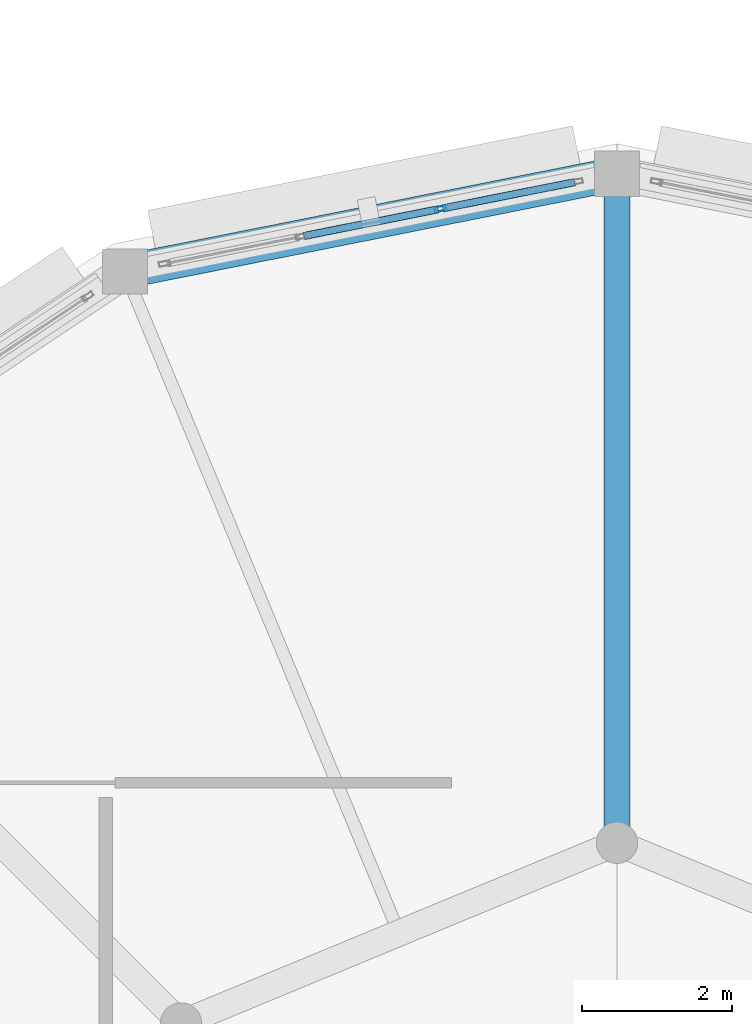
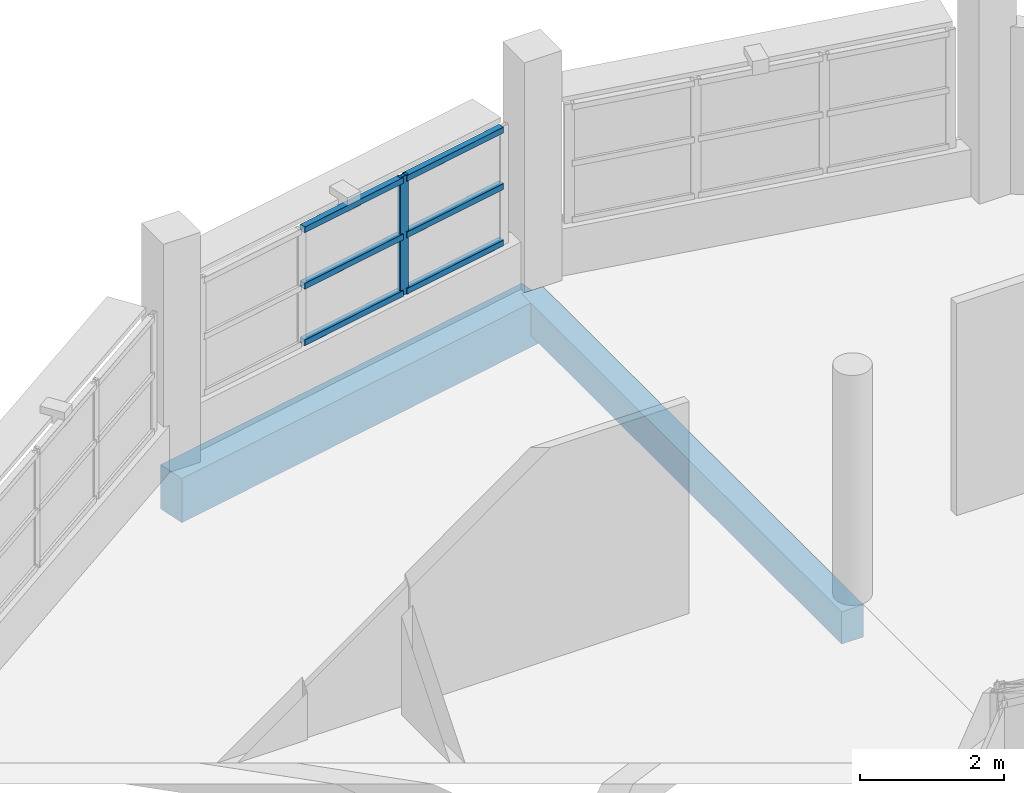
# One storey, part 78 of 121: 7 members, 2 beams, 1 element without a shape of its own.
"""IFC4 building model written with IfcOpenShell, lengths in metres."""

from ifc_helpers import new_model, si_unit, direction, frame, origin, origin_2d, place, context, subcontext, project, spatial, rectangle, hollow_rectangle, extrude, material, layer, layer_set, material_profile, profile_set, type_object, element, aggregate, save


model = new_model("IFC4")

# Units and contexts
model_context = context("Model", 3, precision=1e-05, world=origin(), true_north=direction((0.0, 1.0)))
body_context = subcontext(model_context, "Body", "Model", "MODEL_VIEW")
ifc_project = project(units=[si_unit("LENGTHUNIT", "METRE"), si_unit("AREAUNIT", "SQUARE_METRE"), si_unit("VOLUMEUNIT", "CUBIC_METRE"), si_unit("PLANEANGLEUNIT", "RADIAN"), si_unit("MASSUNIT", "GRAM", prefix="KILO")], contexts=[model_context])

# Site, building, storey
site_placement = place(None, origin())
site = spatial("IfcSite", under=ifc_project, at=site_placement, CompositionType="ELEMENT")
building_placement = place(site_placement, origin())
building = spatial("IfcBuilding", under=site, at=building_placement, Name="Vespera Passage Community Centre", CompositionType="ELEMENT")
storey_placement = place(building_placement, frame((0.0, 0.0, 8.699951171875)))
storey = spatial("IfcBuildingStorey", under=building, at=storey_placement, Name="L02", CompositionType="ELEMENT", Elevation=8.699951171875)

# Beams
ifc_material_1 = material(Name="Concrete f'c 35 MPa", Category="concrete")
ifc_material_profile_1 = material_profile(ifc_material_1, rectangle(XDim=0.35009765625, YDim=0.550048828125, at=origin_2d()), Name="RC350X550")
ifc_profile_set_1 = profile_set([ifc_material_profile_1], Name="Concrete f'c 35 MPa")
beam_type_1 = type_object("IfcBeamType", Name="BM-J-350X550", PredefinedType="JOIST", material=ifc_profile_set_1)
beam_1_placement = place(storey_placement, frame((141.0, 33.199951171875, -0.514892578125), z_axis=(0.0, 1.0, 0.0), x_axis=(-1.0, 0.0, 0.0)))
element("IfcBeam", 1, at=beam_1_placement, inside=storey, type_object=beam_type_1, Name="V3 L02 Radial Girder 3", PredefinedType="JOIST", context=body_context, shape_type="SweptSolid", body=[
    extrude(rectangle(XDim=0.35009765625, YDim=0.550048828125, at=origin_2d()), origin(), (0.0, 0.0, 1.0), 8.900146484375),
])
ifc_material_2 = material(Name="Concrete f'c 35 MPa", Category="concrete")
ifc_material_profile_2 = material_profile(ifc_material_2, rectangle(XDim=0.449951171875, YDim=0.75, at=origin_2d()), Name="RC450X750")
ifc_profile_set_2 = profile_set([ifc_material_profile_2], Name="Concrete f'c 35 MPa")
beam_type_2 = type_object("IfcBeamType", Name="BM-SP-450X750E", PredefinedType="SPANDREL", material=ifc_profile_set_2)
beam_2_placement = place(storey_placement, frame((141.0, 42.10009765625, -0.614990234375), z_axis=(-0.980782809509, -0.195102743632, 0.0), x_axis=(0.195102743632, -0.980782809509, 0.0)))
element("IfcBeam", 2, at=beam_2_placement, inside=storey, type_object=beam_type_2, Name="V3 L02 Spandrel 5", PredefinedType="SPANDREL", context=body_context, shape_type="SweptSolid", body=[
    extrude(rectangle(XDim=0.449951171875, YDim=0.75, at=origin_2d()), origin(), (0.0, 0.0, 1.0), 6.672119140625),
])

# Curtain wall, members
ifc_material_3 = material(Name="Anodized aluminium 6063-T6", Category="aluminium")
ifc_layer = layer(ifc_material_3, 0.159912109375)
ifc_layer_set = layer_set([ifc_layer], Name="Anodized aluminium 6063-T6")
curtain_wall_type = type_object("IfcCurtainWallType", Name="CW-108E", PredefinedType="NOTDEFINED", material=ifc_layer_set)
curtain_wall_placement = place(storey_placement, origin())
curtain_wall = element("IfcCurtainWall", 3, at=curtain_wall_placement, inside=storey, type_object=curtain_wall_type, Name="Dining Drum Ribbon Curtain Wall L02.5", PredefinedType="NOTDEFINED")
ifc_material_4 = material(Name="Anodized aluminium 6063-T6", Category="aluminium")
ifc_material_profile_3 = material_profile(ifc_material_4, hollow_rectangle(XDim=0.06494140625, YDim=0.14990234375, WallThickness=0.00390625, InnerFilletRadius=0.001953125, OuterFilletRadius=0.00390625, at=origin_2d()), Name="ALU150X65X4")
ifc_profile_set_3 = profile_set([ifc_material_profile_3], Name="Anodized aluminium 6063-T6")
member_type_1 = type_object("IfcMemberType", Name="MB-CWM-150E", PredefinedType="MULLION", material=ifc_profile_set_3)
member_1_placement = place(storey_placement, frame((138.6533203125, 41.63330078125, 0.800048828125), z_axis=(0.0, 0.0, 1.0), x_axis=(-0.195096778691, 0.980783996069, 0.0)))
member_1 = element("IfcMember", 4, at=member_1_placement, type_object=member_type_1, Name="CW-108E mullion 3", PredefinedType="MULLION", context=body_context, shape_type="SweptSolid", body=[
    extrude(hollow_rectangle(XDim=0.06494140625, YDim=0.14990234375, WallThickness=0.00390625, InnerFilletRadius=0.001953125, OuterFilletRadius=0.00390625, at=origin_2d()), origin(), (0.0, 0.0, 1.0), 2.014892578125),
])
ifc_material_5 = material(Name="Anodized aluminium 6063-T6", Category="aluminium")
ifc_material_profile_4 = material_profile(ifc_material_5, hollow_rectangle(XDim=0.10009765625, YDim=0.10009765625, WallThickness=0.00390625, InnerFilletRadius=0.001953125, OuterFilletRadius=0.00390625, at=origin_2d()), Name="ALU100X100X4")
ifc_profile_set_4 = profile_set([ifc_material_profile_4], Name="Anodized aluminium 6063-T6")
member_type_2 = type_object("IfcMemberType", Name="MB-CWT-100E", PredefinedType="USERDEFINED", material=ifc_profile_set_4)
member_2_placement = place(storey_placement, frame((136.834716796875, 41.271484375, 0.85009765625), z_axis=(0.980776065507, 0.195136642714, 0.0), x_axis=(-0.195136642714, 0.980776065507, 0.0)))
member_2 = element("IfcMember", 5, at=member_2_placement, type_object=member_type_2, Name="CW-108E transom 2.1", ObjectType="TRANSOM", PredefinedType="USERDEFINED", context=body_context, shape_type="SweptSolid", body=[
    extrude(hollow_rectangle(XDim=0.10009765625, YDim=0.10009765625, WallThickness=0.00390625, InnerFilletRadius=0.001953125, OuterFilletRadius=0.00390625, at=origin_2d()), origin(), (0.0, 0.0, 1.0), 1.821533203125),
])
member_3_placement = place(storey_placement, frame((136.834716796875, 41.271484375, 1.8076171875), z_axis=(0.980776065507, 0.195136642714, 0.0), x_axis=(-0.195136642714, 0.980776065507, 0.0)))
member_3 = element("IfcMember", 6, at=member_3_placement, type_object=member_type_2, Name="CW-108E transom 2.2", ObjectType="TRANSOM", PredefinedType="USERDEFINED", context=body_context, shape_type="SweptSolid", body=[
    extrude(hollow_rectangle(XDim=0.10009765625, YDim=0.10009765625, WallThickness=0.00390625, InnerFilletRadius=0.001953125, OuterFilletRadius=0.00390625, at=origin_2d()), origin(), (0.0, 0.0, 1.0), 1.821533203125),
])
member_4_placement = place(storey_placement, frame((136.834716796875, 41.271484375, 2.76513671875), z_axis=(0.980776065507, 0.195136642714, 0.0), x_axis=(-0.195136642714, 0.980776065507, 0.0)))
member_4 = element("IfcMember", 7, at=member_4_placement, type_object=member_type_2, Name="CW-108E transom 2.3", ObjectType="TRANSOM", PredefinedType="USERDEFINED", context=body_context, shape_type="SweptSolid", body=[
    extrude(hollow_rectangle(XDim=0.10009765625, YDim=0.10009765625, WallThickness=0.00390625, InnerFilletRadius=0.001953125, OuterFilletRadius=0.00390625, at=origin_2d()), origin(), (0.0, 0.0, 1.0), 1.821533203125),
])
member_5_placement = place(storey_placement, frame((138.68505859375, 41.6396484375, 0.85009765625), z_axis=(0.980805694528, 0.194987665203, 0.0), x_axis=(-0.194987665203, 0.980805694528, 0.0)))
member_5 = element("IfcMember", 8, at=member_5_placement, type_object=member_type_2, Name="CW-108E transom 3.1", ObjectType="TRANSOM", PredefinedType="USERDEFINED", context=body_context, shape_type="SweptSolid", body=[
    extrude(hollow_rectangle(XDim=0.10009765625, YDim=0.10009765625, WallThickness=0.00390625, InnerFilletRadius=0.001953125, OuterFilletRadius=0.00390625, at=origin_2d()), origin(), (0.0, 0.0, 1.0), 1.789306640625),
])
member_6_placement = place(storey_placement, frame((138.68505859375, 41.6396484375, 1.8076171875), z_axis=(0.980805694528, 0.194987665203, 0.0), x_axis=(-0.194987665203, 0.980805694528, 0.0)))
member_6 = element("IfcMember", 9, at=member_6_placement, type_object=member_type_2, Name="CW-108E transom 3.2", ObjectType="TRANSOM", PredefinedType="USERDEFINED", context=body_context, shape_type="SweptSolid", body=[
    extrude(hollow_rectangle(XDim=0.10009765625, YDim=0.10009765625, WallThickness=0.00390625, InnerFilletRadius=0.001953125, OuterFilletRadius=0.00390625, at=origin_2d()), origin(), (0.0, 0.0, 1.0), 1.789306640625),
])
member_7_placement = place(storey_placement, frame((138.68505859375, 41.6396484375, 2.76513671875), z_axis=(0.980805694528, 0.194987665203, 0.0), x_axis=(-0.194987665203, 0.980805694528, 0.0)))
member_7 = element("IfcMember", 10, at=member_7_placement, type_object=member_type_2, Name="CW-108E transom 3.3", ObjectType="TRANSOM", PredefinedType="USERDEFINED", context=body_context, shape_type="SweptSolid", body=[
    extrude(hollow_rectangle(XDim=0.10009765625, YDim=0.10009765625, WallThickness=0.00390625, InnerFilletRadius=0.001953125, OuterFilletRadius=0.00390625, at=origin_2d()), origin(), (0.0, 0.0, 1.0), 1.789306640625),
])
aggregate(curtain_wall, [member_1, member_2, member_3, member_4, member_5, member_6, member_7])

save(model, "model.ifc")
